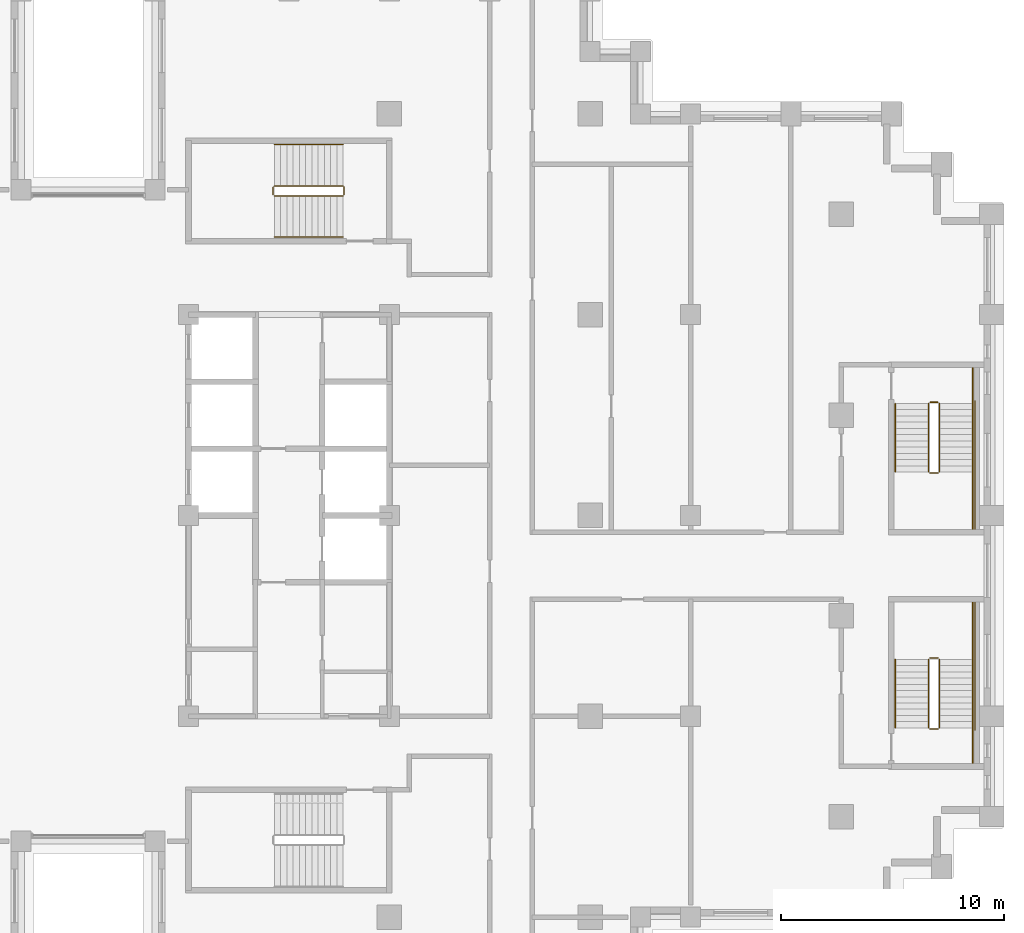
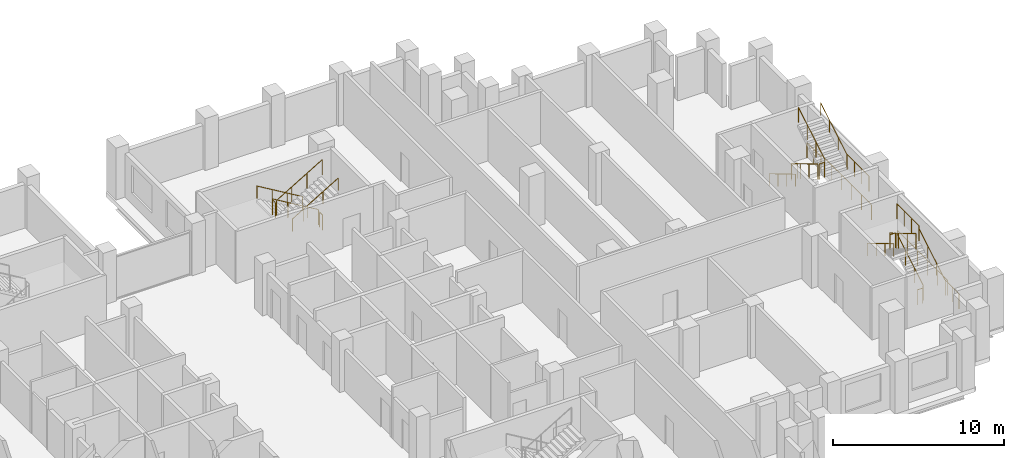
# One storey, part 16 of 16: 3 railings.
"""IFC4 building model written with IfcOpenShell, lengths in metres."""

from ifc_helpers import new_model, si_unit, direction, frame, origin, origin_2d, place, context, subcontext, project, spatial, circle, extrude, material, type_object, element, save


model = new_model("IFC4")

# Units and contexts
model_context = context("Model", 3, precision=1e-05, world=origin(), true_north=direction((0.0, 1.0)))
body_context = subcontext(model_context, "Body", "Model", "MODEL_VIEW")
ifc_project = project(units=[si_unit("LENGTHUNIT", "METRE"), si_unit("AREAUNIT", "SQUARE_METRE"), si_unit("VOLUMEUNIT", "CUBIC_METRE"), si_unit("PLANEANGLEUNIT", "RADIAN"), si_unit("MASSUNIT", "GRAM", prefix="KILO")], contexts=[model_context])

# Site, building, storey
site_placement = place(None, origin())
site = spatial("IfcSite", under=ifc_project, at=site_placement, CompositionType="ELEMENT")
building_placement = place(site_placement, origin())
building = spatial("IfcBuilding", under=site, at=building_placement, Name="Corbelhall Arena Tower", CompositionType="ELEMENT")
storey_placement = place(building_placement, frame((0.0, 0.0, 158.0)))
storey = spatial("IfcBuildingStorey", under=building, at=storey_placement, Name="L31", CompositionType="ELEMENT", Elevation=158.0)

# Railings
ifc_material = material(Name="Steel ASTM A500 Gr C", Category="steel")
railing_type = type_object("IfcRailingType", Name="IN-GD-1100", PredefinedType="GUARDRAIL", material=ifc_material)
railing_1_placement = place(storey_placement, frame((11.425048828125, 14.77490234375, 0.166748046875)))
element("IfcRailing", 1, at=railing_1_placement, inside=storey, type_object=railing_type, Name="L31 ST3 stair guards and handrails", PredefinedType="GUARDRAIL", context=body_context, shape_type="SweptSolid", body=[
    extrude(circle(Radius=0.02392578125, at=origin_2d()), frame((0.0, 0.0, 1.076171875), z_axis=(-0.859308565015, 0.0, 0.511457515432), x_axis=(0.0, -1.0, 0.0)), (0.0, 0.0, 1.0), 3.58447265625),
    extrude(circle(Radius=0.02392578125, at=origin_2d()), frame((-3.130126953125, -0.0498046875, 2.9091796875), z_axis=(0.0, -1.0, 0.0), x_axis=(1.0, 0.0, 0.0)), (0.0, 0.0, 1.0), 0.35009765625),
    extrude(circle(Radius=0.02392578125, at=origin_2d()), frame((-3.080078125, -0.449951171875, 3.076171875), z_axis=(0.859308565015, 0.0, 0.511457515432), x_axis=(0.0, 1.0, 0.0)), (0.0, 0.0, 1.0), 3.58447265625),
    extrude(circle(Radius=0.02392578125, at=origin_2d()), frame((0.050048828125, -0.0498046875, 0.9091796875), z_axis=(0.0, -1.0, 0.0), x_axis=(1.0, 0.0, 0.0)), (0.0, 0.0, 1.0), 0.35009765625),
    extrude(circle(Radius=0.02392578125, at=origin_2d()), frame((0.0, 1.85009765625, 0.8759765625), z_axis=(-0.859308565015, 0.0, 0.511457515432), x_axis=(0.0, -1.0, 0.0)), (0.0, 0.0, 1.0), 3.58447265625),
    extrude(circle(Radius=0.02392578125, at=origin_2d()), frame((-3.080078125, -2.2998046875, 2.8759765625), z_axis=(0.859308565015, 0.0, 0.511457515432), x_axis=(0.0, 1.0, 0.0)), (0.0, 0.0, 1.0), 3.58447265625),
    extrude(circle(Radius=0.02099609375, at=origin_2d()), origin(), (0.0, 0.0, 1.0), 1.052001953125),
    extrude(circle(Radius=0.02099609375, at=origin_2d()), frame((-1.026611328125, 0.0, 0.611083984375)), (0.0, 0.0, 1.0), 1.052001953125),
    extrude(circle(Radius=0.02099609375, at=origin_2d()), frame((-2.053466796875, 0.0, 1.22216796875)), (0.0, 0.0, 1.0), 1.052001953125),
    extrude(circle(Radius=0.02099609375, at=origin_2d()), frame((-3.080078125, 0.0, 1.833251953125)), (0.0, 0.0, 1.0), 1.052001953125),
    extrude(circle(Radius=0.02099609375, at=origin_2d()), frame((-3.130126953125, -0.0498046875, 1.833251953125)), (0.0, 0.0, 1.0), 1.052001953125),
    extrude(circle(Radius=0.02099609375, at=origin_2d()), frame((-3.130126953125, -0.39990234375, 1.833251953125)), (0.0, 0.0, 1.0), 1.052001953125),
    extrude(circle(Radius=0.02099609375, at=origin_2d()), frame((-3.080078125, -0.449951171875, 2.0)), (0.0, 0.0, 1.0), 1.052001953125),
    extrude(circle(Radius=0.02099609375, at=origin_2d()), frame((-2.053466796875, -0.449951171875, 2.611083984375)), (0.0, 0.0, 1.0), 1.052001953125),
    extrude(circle(Radius=0.02099609375, at=origin_2d()), frame((-1.026611328125, -0.449951171875, 3.22216796875)), (0.0, 0.0, 1.0), 1.052001953125),
    extrude(circle(Radius=0.02099609375, at=origin_2d()), frame((0.0, -0.449951171875, 3.833251953125)), (0.0, 0.0, 1.0), 1.052001953125),
    extrude(circle(Radius=0.02099609375, at=origin_2d()), frame((0.050048828125, -0.0498046875, -0.166748046875)), (0.0, 0.0, 1.0), 1.052001953125),
    extrude(circle(Radius=0.02099609375, at=origin_2d()), frame((0.050048828125, -0.39990234375, -0.166748046875)), (0.0, 0.0, 1.0), 1.052001953125),
    extrude(circle(Radius=0.02099609375, at=origin_2d()), frame((0.0, 1.85009765625, 0.0)), (0.0, 0.0, 1.0), 0.851806640625),
    extrude(circle(Radius=0.02099609375, at=origin_2d()), frame((-1.026611328125, 1.85009765625, 0.611083984375)), (0.0, 0.0, 1.0), 0.851806640625),
    extrude(circle(Radius=0.02099609375, at=origin_2d()), frame((-2.053466796875, 1.85009765625, 1.22216796875)), (0.0, 0.0, 1.0), 0.851806640625),
    extrude(circle(Radius=0.02099609375, at=origin_2d()), frame((-3.080078125, 1.85009765625, 1.833251953125)), (0.0, 0.0, 1.0), 0.851806640625),
    extrude(circle(Radius=0.02099609375, at=origin_2d()), frame((-3.080078125, -2.2998046875, 2.0)), (0.0, 0.0, 1.0), 0.851806640625),
    extrude(circle(Radius=0.02099609375, at=origin_2d()), frame((-2.053466796875, -2.2998046875, 2.611083984375)), (0.0, 0.0, 1.0), 0.851806640625),
    extrude(circle(Radius=0.02099609375, at=origin_2d()), frame((-1.026611328125, -2.2998046875, 3.22216796875)), (0.0, 0.0, 1.0), 0.851806640625),
    extrude(circle(Radius=0.02099609375, at=origin_2d()), frame((0.0, -2.2998046875, 3.833251953125)), (0.0, 0.0, 1.0), 0.851806640625),
])
railing_2_placement = place(storey_placement, frame((38.14990234375, -9.52490234375, 0.166748046875)))
element("IfcRailing", 2, at=railing_2_placement, inside=storey, type_object=railing_type, Name="L31 SD1 stair guards and handrails", PredefinedType="GUARDRAIL", context=body_context, shape_type="SweptSolid", body=[
    extrude(circle(Radius=0.02392578125, at=origin_2d()), frame((0.0, 0.0, 1.076171875), z_axis=(0.0, 0.859290745958, 0.51148745235), x_axis=(-1.0, 0.0, 0.0)), (0.0, 0.0, 1.0), 3.584228515625),
    extrude(circle(Radius=0.02392578125, at=origin_2d()), frame((-0.0498046875, 3.1298828125, 2.9091796875), z_axis=(-1.0, 0.0, 0.0), x_axis=(0.0, -1.0, 0.0)), (0.0, 0.0, 1.0), 0.375),
    extrude(circle(Radius=0.02392578125, at=origin_2d()), frame((1.5, 3.079833984375, 2.9091796875), z_axis=(0.0, 1.0, 0.0), x_axis=(-1.0, 0.0, 0.0)), (0.0, 0.0, 1.0), 2.570068359375),
    extrude(circle(Radius=0.02392578125, at=origin_2d()), frame((-0.474853515625, 3.079833984375, 3.076171875), z_axis=(0.0, -0.859290745958, 0.51148745235), x_axis=(1.0, 0.0, 0.0)), (0.0, 0.0, 1.0), 3.584228515625),
    extrude(circle(Radius=0.02392578125, at=origin_2d()), frame((-0.0498046875, -0.050048828125, 0.9091796875), z_axis=(-1.0, 0.0, 0.0), x_axis=(0.0, -1.0, 0.0)), (0.0, 0.0, 1.0), 0.375),
    extrude(circle(Radius=0.02392578125, at=origin_2d()), frame((1.5, -1.60009765625, 0.9091796875), z_axis=(0.0, 1.0, 0.0), x_axis=(-1.0, 0.0, 0.0)), (0.0, 0.0, 1.0), 1.60009765625),
    extrude(circle(Radius=0.02392578125, at=origin_2d()), frame((1.60009765625, -0.10009765625, 0.9091796875), z_axis=(0.0, 1.0, 0.0), x_axis=(-1.0, 0.0, 0.0)), (0.0, 0.0, 1.0), 5.85009765625),
    extrude(circle(Radius=0.02392578125, at=origin_2d()), frame((1.5, 0.0, 0.8759765625), z_axis=(0.0, 0.859290745958, 0.51148745235), x_axis=(-1.0, 0.0, 0.0)), (0.0, 0.0, 1.0), 3.584228515625),
    extrude(circle(Radius=0.02392578125, at=origin_2d()), frame((-1.974853515625, 3.079833984375, 2.8759765625), z_axis=(0.0, -0.859290745958, 0.51148745235), x_axis=(1.0, 0.0, 0.0)), (0.0, 0.0, 1.0), 3.584228515625),
    extrude(circle(Radius=0.02099609375, at=origin_2d()), origin(), (0.0, 0.0, 1.0), 1.052001953125),
    extrude(circle(Radius=0.02099609375, at=origin_2d()), frame((0.0, 1.026611328125, 0.611083984375)), (0.0, 0.0, 1.0), 1.052001953125),
    extrude(circle(Radius=0.02099609375, at=origin_2d()), frame((0.0, 2.05322265625, 1.22216796875)), (0.0, 0.0, 1.0), 1.052001953125),
    extrude(circle(Radius=0.02099609375, at=origin_2d()), frame((0.0, 3.079833984375, 1.833251953125)), (0.0, 0.0, 1.0), 1.052001953125),
    extrude(circle(Radius=0.02099609375, at=origin_2d()), frame((-0.0498046875, 3.1298828125, 1.833251953125)), (0.0, 0.0, 1.0), 1.052001953125),
    extrude(circle(Radius=0.02099609375, at=origin_2d()), frame((-0.4248046875, 3.1298828125, 1.833251953125)), (0.0, 0.0, 1.0), 1.052001953125),
    extrude(circle(Radius=0.02099609375, at=origin_2d()), frame((1.5, 3.079833984375, 1.833251953125)), (0.0, 0.0, 1.0), 1.052001953125),
    extrude(circle(Radius=0.02099609375, at=origin_2d()), frame((1.5, 3.9365234375, 1.833251953125)), (0.0, 0.0, 1.0), 1.052001953125),
    extrude(circle(Radius=0.02099609375, at=origin_2d()), frame((1.5, 4.793212890625, 1.833251953125)), (0.0, 0.0, 1.0), 1.052001953125),
    extrude(circle(Radius=0.02099609375, at=origin_2d()), frame((1.5, 5.64990234375, 1.833251953125)), (0.0, 0.0, 1.0), 1.052001953125),
    extrude(circle(Radius=0.02099609375, at=origin_2d()), frame((-0.474853515625, 3.079833984375, 2.0)), (0.0, 0.0, 1.0), 1.052001953125),
    extrude(circle(Radius=0.02099609375, at=origin_2d()), frame((-0.474853515625, 2.05322265625, 2.611083984375)), (0.0, 0.0, 1.0), 1.052001953125),
    extrude(circle(Radius=0.02099609375, at=origin_2d()), frame((-0.474853515625, 1.026611328125, 3.22216796875)), (0.0, 0.0, 1.0), 1.052001953125),
    extrude(circle(Radius=0.02099609375, at=origin_2d()), frame((-0.474853515625, 0.0, 3.833251953125)), (0.0, 0.0, 1.0), 1.052001953125),
    extrude(circle(Radius=0.02099609375, at=origin_2d()), frame((-0.0498046875, -0.050048828125, -0.166748046875)), (0.0, 0.0, 1.0), 1.052001953125),
    extrude(circle(Radius=0.02099609375, at=origin_2d()), frame((-0.4248046875, -0.050048828125, -0.166748046875)), (0.0, 0.0, 1.0), 1.052001953125),
    extrude(circle(Radius=0.02099609375, at=origin_2d()), frame((1.5, -1.60009765625, -0.166748046875)), (0.0, 0.0, 1.0), 1.052001953125),
    extrude(circle(Radius=0.02099609375, at=origin_2d()), frame((1.5, -0.800048828125, -0.166748046875)), (0.0, 0.0, 1.0), 1.052001953125),
    extrude(circle(Radius=0.02099609375, at=origin_2d()), frame((1.5, 0.0, -0.166748046875)), (0.0, 0.0, 1.0), 1.052001953125),
    extrude(circle(Radius=0.02099609375, at=origin_2d()), frame((1.60009765625, -0.10009765625, -0.166748046875)), (0.0, 0.0, 1.0), 1.052001953125),
    extrude(circle(Radius=0.02099609375, at=origin_2d()), frame((1.60009765625, 1.06982421875, -0.166748046875)), (0.0, 0.0, 1.0), 1.052001953125),
    extrude(circle(Radius=0.02099609375, at=origin_2d()), frame((1.60009765625, 2.239990234375, -0.166748046875)), (0.0, 0.0, 1.0), 1.052001953125),
    extrude(circle(Radius=0.02099609375, at=origin_2d()), frame((1.60009765625, 3.409912109375, -0.166748046875)), (0.0, 0.0, 1.0), 1.052001953125),
    extrude(circle(Radius=0.02099609375, at=origin_2d()), frame((1.60009765625, 4.580078125, -0.166748046875)), (0.0, 0.0, 1.0), 1.052001953125),
    extrude(circle(Radius=0.02099609375, at=origin_2d()), frame((1.60009765625, 5.75, -0.166748046875)), (0.0, 0.0, 1.0), 1.052001953125),
    extrude(circle(Radius=0.02099609375, at=origin_2d()), frame((1.5, 0.0, 0.0)), (0.0, 0.0, 1.0), 0.851806640625),
    extrude(circle(Radius=0.02099609375, at=origin_2d()), frame((1.5, 1.026611328125, 0.611083984375)), (0.0, 0.0, 1.0), 0.851806640625),
    extrude(circle(Radius=0.02099609375, at=origin_2d()), frame((1.5, 2.05322265625, 1.22216796875)), (0.0, 0.0, 1.0), 0.851806640625),
    extrude(circle(Radius=0.02099609375, at=origin_2d()), frame((-1.974853515625, 3.079833984375, 2.0)), (0.0, 0.0, 1.0), 0.851806640625),
    extrude(circle(Radius=0.02099609375, at=origin_2d()), frame((-1.974853515625, 2.05322265625, 2.611083984375)), (0.0, 0.0, 1.0), 0.851806640625),
    extrude(circle(Radius=0.02099609375, at=origin_2d()), frame((-1.974853515625, 1.026611328125, 3.22216796875)), (0.0, 0.0, 1.0), 0.851806640625),
    extrude(circle(Radius=0.02099609375, at=origin_2d()), frame((-1.974853515625, 0.0, 3.833251953125)), (0.0, 0.0, 1.0), 0.851806640625),
])
railing_3_placement = place(storey_placement, frame((37.675048828125, 5.02490234375, 0.166748046875)))
element("IfcRailing", 3, at=railing_3_placement, inside=storey, type_object=railing_type, Name="L31 SD2 stair guards and handrails", PredefinedType="GUARDRAIL", context=body_context, shape_type="SweptSolid", body=[
    extrude(circle(Radius=0.02392578125, at=origin_2d()), frame((0.0, 0.0, 1.076171875), z_axis=(0.0, -0.859290745958, 0.51148745235), x_axis=(1.0, 0.0, 0.0)), (0.0, 0.0, 1.0), 3.584228515625),
    extrude(circle(Radius=0.02392578125, at=origin_2d()), frame((0.050048828125, -3.1298828125, 2.9091796875), z_axis=(1.0, 0.0, 0.0), x_axis=(0.0, 1.0, 0.0)), (0.0, 0.0, 1.0), 0.375),
    extrude(circle(Radius=0.02392578125, at=origin_2d()), frame((1.974853515625, -3.079833984375, 2.9091796875), z_axis=(0.0, -1.0, 0.0), x_axis=(1.0, 0.0, 0.0)), (0.0, 0.0, 1.0), 2.570068359375),
    extrude(circle(Radius=0.02392578125, at=origin_2d()), frame((0.474853515625, -3.079833984375, 3.076171875), z_axis=(0.0, 0.859290745958, 0.51148745235), x_axis=(-1.0, 0.0, 0.0)), (0.0, 0.0, 1.0), 3.584228515625),
    extrude(circle(Radius=0.02392578125, at=origin_2d()), frame((0.050048828125, 0.050048828125, 0.9091796875), z_axis=(1.0, 0.0, 0.0), x_axis=(0.0, 1.0, 0.0)), (0.0, 0.0, 1.0), 0.375),
    extrude(circle(Radius=0.02392578125, at=origin_2d()), frame((1.974853515625, 1.60009765625, 0.9091796875), z_axis=(0.0, -1.0, 0.0), x_axis=(1.0, 0.0, 0.0)), (0.0, 0.0, 1.0), 1.60009765625),
    extrude(circle(Radius=0.02392578125, at=origin_2d()), frame((2.074951171875, 0.10009765625, 0.9091796875), z_axis=(0.0, -1.0, 0.0), x_axis=(1.0, 0.0, 0.0)), (0.0, 0.0, 1.0), 5.85009765625),
    extrude(circle(Radius=0.02392578125, at=origin_2d()), frame((-1.5, 0.0, 0.8759765625), z_axis=(0.0, -0.859290745958, 0.51148745235), x_axis=(1.0, 0.0, 0.0)), (0.0, 0.0, 1.0), 3.584228515625),
    extrude(circle(Radius=0.02392578125, at=origin_2d()), frame((1.974853515625, -3.079833984375, 2.8759765625), z_axis=(0.0, 0.859290745958, 0.51148745235), x_axis=(-1.0, 0.0, 0.0)), (0.0, 0.0, 1.0), 3.584228515625),
    extrude(circle(Radius=0.02099609375, at=origin_2d()), origin(), (0.0, 0.0, 1.0), 1.052001953125),
    extrude(circle(Radius=0.02099609375, at=origin_2d()), frame((0.0, -1.026611328125, 0.611083984375)), (0.0, 0.0, 1.0), 1.052001953125),
    extrude(circle(Radius=0.02099609375, at=origin_2d()), frame((0.0, -2.05322265625, 1.22216796875)), (0.0, 0.0, 1.0), 1.052001953125),
    extrude(circle(Radius=0.02099609375, at=origin_2d()), frame((0.0, -3.079833984375, 1.833251953125)), (0.0, 0.0, 1.0), 1.052001953125),
    extrude(circle(Radius=0.02099609375, at=origin_2d()), frame((0.050048828125, -3.1298828125, 1.833251953125)), (0.0, 0.0, 1.0), 1.052001953125),
    extrude(circle(Radius=0.02099609375, at=origin_2d()), frame((0.425048828125, -3.1298828125, 1.833251953125)), (0.0, 0.0, 1.0), 1.052001953125),
    extrude(circle(Radius=0.02099609375, at=origin_2d()), frame((1.974853515625, -3.079833984375, 1.833251953125)), (0.0, 0.0, 1.0), 1.052001953125),
    extrude(circle(Radius=0.02099609375, at=origin_2d()), frame((1.974853515625, -3.9365234375, 1.833251953125)), (0.0, 0.0, 1.0), 1.052001953125),
    extrude(circle(Radius=0.02099609375, at=origin_2d()), frame((1.974853515625, -4.793212890625, 1.833251953125)), (0.0, 0.0, 1.0), 1.052001953125),
    extrude(circle(Radius=0.02099609375, at=origin_2d()), frame((1.974853515625, -5.64990234375, 1.833251953125)), (0.0, 0.0, 1.0), 1.052001953125),
    extrude(circle(Radius=0.02099609375, at=origin_2d()), frame((0.474853515625, -3.079833984375, 2.0)), (0.0, 0.0, 1.0), 1.052001953125),
    extrude(circle(Radius=0.02099609375, at=origin_2d()), frame((0.474853515625, -2.05322265625, 2.611083984375)), (0.0, 0.0, 1.0), 1.052001953125),
    extrude(circle(Radius=0.02099609375, at=origin_2d()), frame((0.474853515625, -1.026611328125, 3.22216796875)), (0.0, 0.0, 1.0), 1.052001953125),
    extrude(circle(Radius=0.02099609375, at=origin_2d()), frame((0.474853515625, 0.0, 3.833251953125)), (0.0, 0.0, 1.0), 1.052001953125),
    extrude(circle(Radius=0.02099609375, at=origin_2d()), frame((0.050048828125, 0.050048828125, -0.166748046875)), (0.0, 0.0, 1.0), 1.052001953125),
    extrude(circle(Radius=0.02099609375, at=origin_2d()), frame((0.425048828125, 0.050048828125, -0.166748046875)), (0.0, 0.0, 1.0), 1.052001953125),
    extrude(circle(Radius=0.02099609375, at=origin_2d()), frame((1.974853515625, 1.60009765625, -0.166748046875)), (0.0, 0.0, 1.0), 1.052001953125),
    extrude(circle(Radius=0.02099609375, at=origin_2d()), frame((1.974853515625, 0.800048828125, -0.166748046875)), (0.0, 0.0, 1.0), 1.052001953125),
    extrude(circle(Radius=0.02099609375, at=origin_2d()), frame((1.974853515625, 0.0, -0.166748046875)), (0.0, 0.0, 1.0), 1.052001953125),
    extrude(circle(Radius=0.02099609375, at=origin_2d()), frame((2.074951171875, 0.10009765625, -0.166748046875)), (0.0, 0.0, 1.0), 1.052001953125),
    extrude(circle(Radius=0.02099609375, at=origin_2d()), frame((2.074951171875, -1.06982421875, -0.166748046875)), (0.0, 0.0, 1.0), 1.052001953125),
    extrude(circle(Radius=0.02099609375, at=origin_2d()), frame((2.074951171875, -2.239990234375, -0.166748046875)), (0.0, 0.0, 1.0), 1.052001953125),
    extrude(circle(Radius=0.02099609375, at=origin_2d()), frame((2.074951171875, -3.409912109375, -0.166748046875)), (0.0, 0.0, 1.0), 1.052001953125),
    extrude(circle(Radius=0.02099609375, at=origin_2d()), frame((2.074951171875, -4.580078125, -0.166748046875)), (0.0, 0.0, 1.0), 1.052001953125),
    extrude(circle(Radius=0.02099609375, at=origin_2d()), frame((2.074951171875, -5.75, -0.166748046875)), (0.0, 0.0, 1.0), 1.052001953125),
    extrude(circle(Radius=0.02099609375, at=origin_2d()), frame((-1.5, 0.0, 0.0)), (0.0, 0.0, 1.0), 0.851806640625),
    extrude(circle(Radius=0.02099609375, at=origin_2d()), frame((-1.5, -1.026611328125, 0.611083984375)), (0.0, 0.0, 1.0), 0.851806640625),
    extrude(circle(Radius=0.02099609375, at=origin_2d()), frame((-1.5, -2.05322265625, 1.22216796875)), (0.0, 0.0, 1.0), 0.851806640625),
    extrude(circle(Radius=0.02099609375, at=origin_2d()), frame((-1.5, -3.079833984375, 1.833251953125)), (0.0, 0.0, 1.0), 0.851806640625),
    extrude(circle(Radius=0.02099609375, at=origin_2d()), frame((1.974853515625, -3.079833984375, 2.0)), (0.0, 0.0, 1.0), 0.851806640625),
    extrude(circle(Radius=0.02099609375, at=origin_2d()), frame((1.974853515625, -2.05322265625, 2.611083984375)), (0.0, 0.0, 1.0), 0.851806640625),
    extrude(circle(Radius=0.02099609375, at=origin_2d()), frame((1.974853515625, -1.026611328125, 3.22216796875)), (0.0, 0.0, 1.0), 0.851806640625),
    extrude(circle(Radius=0.02099609375, at=origin_2d()), frame((1.974853515625, 0.0, 3.833251953125)), (0.0, 0.0, 1.0), 0.851806640625),
])

save(model, "model.ifc")
